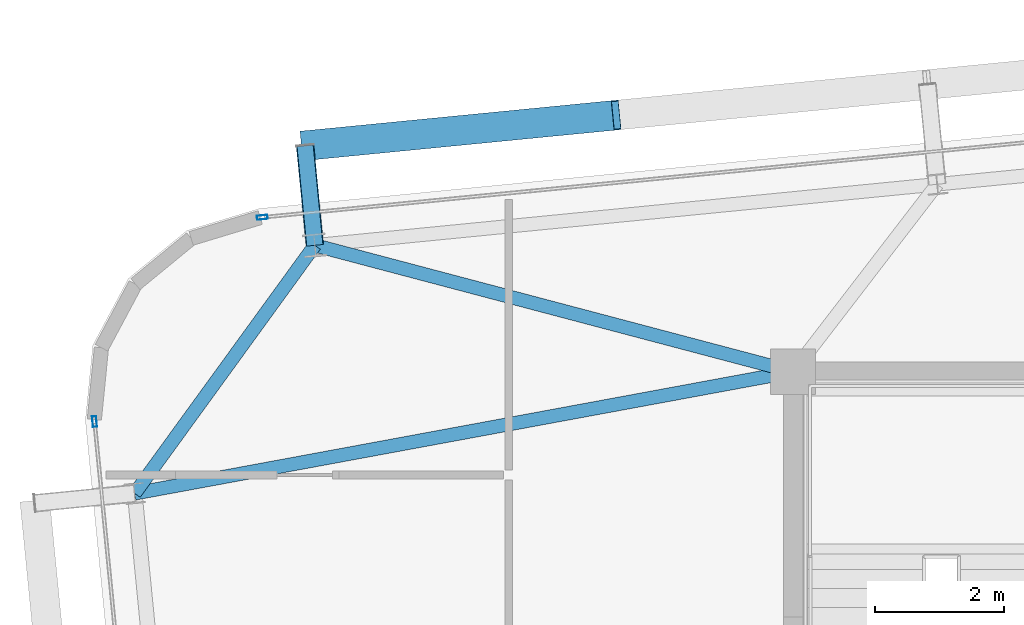
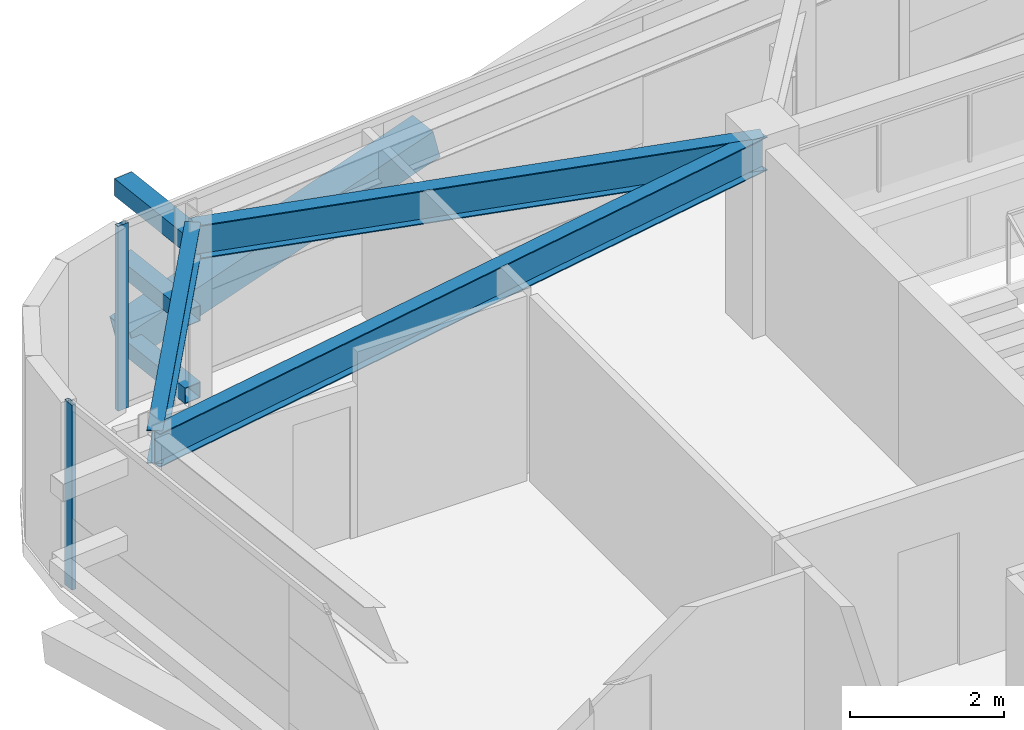
# One storey, part 24 of 47: 6 members, 3 beams, 2 elements without a shape of their own.
"""IFC4 building model written with IfcOpenShell, lengths in metres."""

from ifc_helpers import new_model, si_unit, direction, frame, origin, origin_2d, place, context, subcontext, project, spatial, hollow_rectangle, i_section, extrude, source, transform, mapped, material, layer, layer_set, material_profile, profile_set, type_object, element, aggregate, save


model = new_model("IFC4")

# Units and contexts
model_context = context("Model", 3, precision=1e-05, world=origin(), true_north=direction((0.0, 1.0)))
body_context = subcontext(model_context, "Body", "Model", "MODEL_VIEW")
ifc_project = project(units=[si_unit("LENGTHUNIT", "METRE"), si_unit("AREAUNIT", "SQUARE_METRE"), si_unit("VOLUMEUNIT", "CUBIC_METRE"), si_unit("PLANEANGLEUNIT", "RADIAN"), si_unit("MASSUNIT", "GRAM", prefix="KILO")], contexts=[model_context])

# Site, building, storey
site_placement = place(None, origin())
site = spatial("IfcSite", under=ifc_project, at=site_placement, CompositionType="ELEMENT")
building_placement = place(site_placement, origin())
building = spatial("IfcBuilding", under=site, at=building_placement, Name="Taldren Reach Tower", CompositionType="ELEMENT")
storey_placement = place(building_placement, frame((0.0, 0.0, 106.050048828125)))
storey = spatial("IfcBuildingStorey", under=building, at=storey_placement, Name="L32", CompositionType="ELEMENT", Elevation=106.050048828125)

# Beams
ifc_material_1 = material(Name="Steel Gr 350 (350PLUS)", Category="steel")
ifc_material_profile_1 = material_profile(ifc_material_1, i_section(OverallWidth=0.208984375, OverallDepth=0.528076171875, WebThickness=0.009521484375, FlangeThickness=0.01318359375, at=origin_2d()), Name="530UB82.0")
ifc_profile_set_1 = profile_set([ifc_material_profile_1], Name="Steel Gr 350 (350PLUS)")
beam_type_1 = type_object("IfcBeamType", Name="SP-UB530B", PredefinedType="SPANDREL", material=ifc_profile_set_1)
shared_shape_1 = source(origin(), body_context, "Body", "SweptSolid", [
    extrude(i_section(OverallWidth=0.208984375, OverallDepth=0.528076171875, WebThickness=0.009521484375, FlangeThickness=0.01318359375, at=origin_2d()), origin(), (0.0, 0.0, 1.0), 4.74609375),
])
beam_1_placement = place(storey_placement, frame((11.596923828125, 33.956787109375, 2.666015625), z_axis=(-0.587565912237, -0.809176308833, 0.0), x_axis=(0.809176308833, -0.587565912237, 0.0)))
element("IfcBeam", 1, at=beam_1_placement, inside=storey, type_object=beam_type_1, Name="Perimeter spandrel B2 N1-W3 L32", PredefinedType="SPANDREL", context=body_context, shape_type="MappedRepresentation", body=[
    mapped(shared_shape_1, transform((0.0, 0.0, 0.0), scale=1.0)),
])
ifc_material_profile_2 = material_profile(ifc_material_1, i_section(OverallWidth=0.208984375, OverallDepth=0.532958984375, WebThickness=0.01025390625, FlangeThickness=0.015625, at=origin_2d()), Name="530UB92.4")
ifc_profile_set_2 = profile_set([ifc_material_profile_2], Name="Steel Gr 350 (350PLUS)")
beam_type_2 = type_object("IfcBeamType", Name="BM-UB530A", PredefinedType="BEAM", material=ifc_profile_set_2)
shared_shape_2 = source(origin(), body_context, "Body", "SweptSolid", [
    extrude(i_section(OverallWidth=0.208984375, OverallDepth=0.532958984375, WebThickness=0.01025390625, FlangeThickness=0.015625, at=origin_2d()), origin(), (0.0, 0.0, 1.0), 7.6572265625),
])
beam_2_placement = place(storey_placement, frame((19.0, 32.0, 2.663330078125), z_axis=(-0.966797258245, 0.255544636904, 0.0), x_axis=(-0.255544636904, -0.966797258245, 0.0)))
element("IfcBeam", 2, at=beam_2_placement, inside=storey, type_object=beam_type_2, Name="Primary floor girder B2-N1 L32", PredefinedType="BEAM", context=body_context, shape_type="MappedRepresentation", body=[
    mapped(shared_shape_2, transform((0.0, 0.0, 0.0), scale=1.0)),
])
shared_shape_3 = source(origin(), body_context, "Body", "SweptSolid", [
    extrude(i_section(OverallWidth=0.208984375, OverallDepth=0.532958984375, WebThickness=0.01025390625, FlangeThickness=0.015625, at=origin_2d()), origin(), (0.0, 0.0, 1.0), 10.3642578125),
])
beam_3_placement = place(storey_placement, frame((19.0, 32.0, 2.663330078125), z_axis=(-0.983347548213, -0.181734970283, 0.0), x_axis=(0.181734970283, -0.983347548213, 0.0)))
element("IfcBeam", 3, at=beam_3_placement, inside=storey, type_object=beam_type_2, Name="Primary floor girder B2-W3 L32", PredefinedType="BEAM", context=body_context, shape_type="MappedRepresentation", body=[
    mapped(shared_shape_3, transform((0.0, 0.0, 0.0), scale=1.0)),
])

# Members
ifc_material_2 = material(Name="Steel Gr 450 (C450L0)", Category="steel")
ifc_material_profile_3 = material_profile(ifc_material_2, hollow_rectangle(XDim=0.27490234375, YDim=0.27490234375, WallThickness=0.00927734375, at=origin_2d()), Name="275x275x9.3SHS")
ifc_profile_set_3 = profile_set([ifc_material_profile_3], Name="Steel Gr 450 (C450L0)")
member_type_1 = type_object("IfcMemberType", Name="MB-TIE273", PredefinedType="STRUT", material=ifc_profile_set_3)
shared_shape_4 = source(origin(), body_context, "Body", "SweptSolid", [
    extrude(hollow_rectangle(XDim=0.27490234375, YDim=0.27490234375, WallThickness=0.00927734375, at=origin_2d()), origin(), (0.0, 0.0, 1.0), 1.550048828125),
])
member_1_placement = place(storey_placement, frame((11.596923828125, 33.956787109375, 2.64990234375), z_axis=(-0.097647892962, 0.9952210252, 0.0), x_axis=(-0.9952210252, -0.097647892962, 0.0)))
element("IfcMember", 4, at=member_1_placement, inside=storey, type_object=member_type_1, Name="Exoskeleton diaphragm tie strut B2-N1 L32", PredefinedType="STRUT", context=body_context, shape_type="MappedRepresentation", body=[
    mapped(shared_shape_4, transform((0.0, 0.0, 0.0), scale=1.0)),
])
ifc_material_profile_4 = material_profile(ifc_material_2, hollow_rectangle(XDim=0.4599609375, YDim=0.4599609375, WallThickness=0.01611328125, at=origin_2d()), Name="460x460x16.0SHS")
ifc_profile_set_4 = profile_set([ifc_material_profile_4], Name="Steel Gr 450 (C450L0)")
member_type_2 = type_object("IfcMemberType", Name="MB-EXO457", PredefinedType="BRACE", material=ifc_profile_set_4)
shared_shape_5 = source(origin(), body_context, "Body", "SweptSolid", [
    extrude(hollow_rectangle(XDim=0.4599609375, YDim=0.4599609375, WallThickness=0.01611328125, at=origin_2d()), origin(), (0.0, 0.0, 1.0), 4.990234375),
])
member_2_placement = place(storey_placement, frame((11.445556640625, 35.49951171875, 0.219970703125), z_axis=(0.965275526283, 0.094619506732, 0.243496010862), x_axis=(-0.097555749586, 0.995230061706, 0.0)))
element("IfcMember", 5, at=member_2_placement, inside=storey, type_object=member_type_2, Name="Exoskeleton Diagrid Brace B2-N1 L32", PredefinedType="BRACE", context=body_context, shape_type="MappedRepresentation", body=[
    mapped(shared_shape_5, transform((0.0, 0.0, 0.0), scale=1.0)),
])
ifc_material_3 = material(Name="Steel Gr 350 (C350L0)", Category="steel")
ifc_material_profile_5 = material_profile(ifc_material_3, hollow_rectangle(XDim=0.25, YDim=0.25, WallThickness=0.010009765625, at=origin_2d()), Name="250x250x10.0SHS")
ifc_profile_set_5 = profile_set([ifc_material_profile_5], Name="Steel Gr 350 (C350L0)")
member_type_3 = type_object("IfcMemberType", Name="MB-POST250", PredefinedType="POST", material=ifc_profile_set_5)
shared_shape_6 = source(origin(), body_context, "Body", "SweptSolid", [
    extrude(hollow_rectangle(XDim=0.25, YDim=0.25, WallThickness=0.010009765625, at=origin_2d()), origin(), (0.0, 0.0, 1.0), 1.550048828125),
])
for number, where, z_axis, x_axis, name in (
    (6, (11.596923828125, 33.956787109375, 0.219970703125), (-0.097647892962, 0.9952210252, 0.0), (-0.9952210252, -0.097647892962, 0.0), "Exoskeleton base diaphragm tie strut B2-N1 L32"),
    (7, (11.596923828125, 33.956787109375, 1.43505859375), (-0.097647892962, 0.9952210252, 0.0), (-0.9952210252, -0.097647892962, 0.0), "Exoskeleton mid-tier diaphragm tie B2-N1 L32"),
):
    element("IfcMember", number, at=place(storey_placement, frame(where, z_axis=z_axis, x_axis=x_axis)), inside=storey, type_object=member_type_3, Name=name, PredefinedType="POST", context=body_context, shape_type="MappedRepresentation", body=[
        mapped(shared_shape_6, transform((0.0, 0.0, 0.0), scale=1.0)),
    ])

# Curtain wall, member
ifc_material_4 = material(Name="Aluminium and Low-E Glass Unitised System", Category="aluminium")
ifc_layer = layer(ifc_material_4, 0.159912109375)
ifc_layer_set = layer_set([ifc_layer], Name="Aluminium and Low-E Glass Unitised System")
curtain_wall_type = type_object("IfcCurtainWallType", Name="CW-SYS-3", PredefinedType="NOTDEFINED", material=ifc_layer_set)
curtain_wall_1_placement = place(storey_placement, origin())
curtain_wall_1 = element("IfcCurtainWall", 8, at=curtain_wall_1_placement, inside=storey, type_object=curtain_wall_type, Name="Unitised curtain wall CW-L32-N", PredefinedType="NOTDEFINED")
ifc_material_5 = material(Name="Anodised Aluminium 6063-T6", Category="aluminium")
ifc_material_profile_6 = material_profile(ifc_material_5, hollow_rectangle(XDim=0.06494140625, YDim=0.1650390625, WallThickness=0.00390625, at=origin_2d()), Name="ALU-165x65x4RHS")
ifc_profile_set_6 = profile_set([ifc_material_profile_6], Name="Anodised Aluminium 6063-T6")
member_type_4 = type_object("IfcMemberType", Name="CW-MUL-165", PredefinedType="MULLION", material=ifc_profile_set_6)
shared_shape_7 = source(origin(), body_context, "Body", "SweptSolid", [
    extrude(hollow_rectangle(XDim=0.06494140625, YDim=0.1650390625, WallThickness=0.00390625, at=origin_2d()), origin(), (0.0, 0.0, 1.0), 2.929931640625),
])
member_3_placement = place(storey_placement, frame((10.783203125, 34.3896484375, 0.0), z_axis=(0.0, 0.0, 1.0), x_axis=(0.097582999046, -0.995227390247, 0.0)))
member_3 = element("IfcMember", 9, at=member_3_placement, type_object=member_type_4, Name="CW-3 mullion 5", PredefinedType="MULLION", context=body_context, shape_type="MappedRepresentation", body=[
    mapped(shared_shape_7, transform((0.0, 0.0, 0.0), scale=1.0)),
])
aggregate(curtain_wall_1, [member_3])

curtain_wall_2_placement = place(storey_placement, origin())
curtain_wall_2 = element("IfcCurtainWall", 10, at=curtain_wall_2_placement, inside=storey, type_object=curtain_wall_type, Name="Unitised curtain wall CW-L32-W", PredefinedType="NOTDEFINED")
member_4_placement = place(storey_placement, frame((8.186767578125, 31.228515625, 0.0), z_axis=(0.0, 0.0, 1.0), x_axis=(0.99522741555, 0.09758274098, 0.0)))
member_4 = element("IfcMember", 11, at=member_4_placement, type_object=member_type_4, Name="CW-3 mullion 1", PredefinedType="MULLION", context=body_context, shape_type="MappedRepresentation", body=[
    mapped(shared_shape_7, transform((0.0, 0.0, 0.0), scale=1.0)),
])
aggregate(curtain_wall_2, [member_4])

save(model, "model.ifc")
